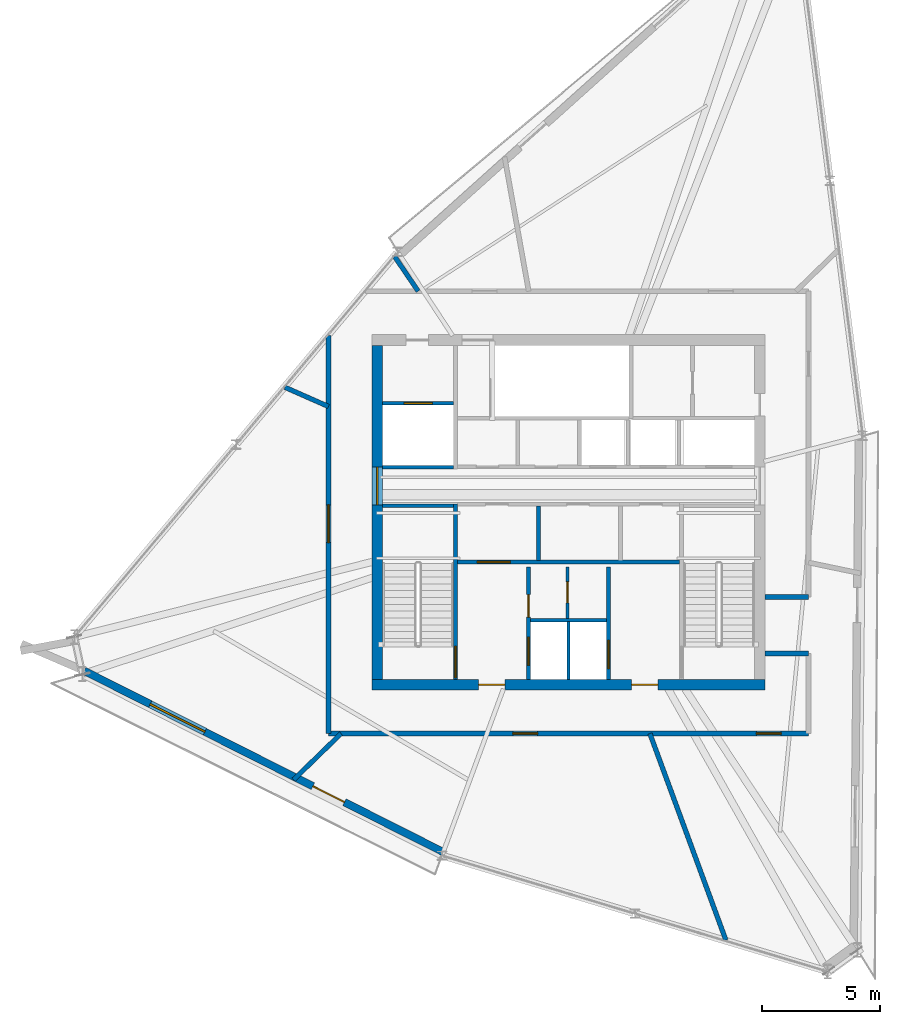
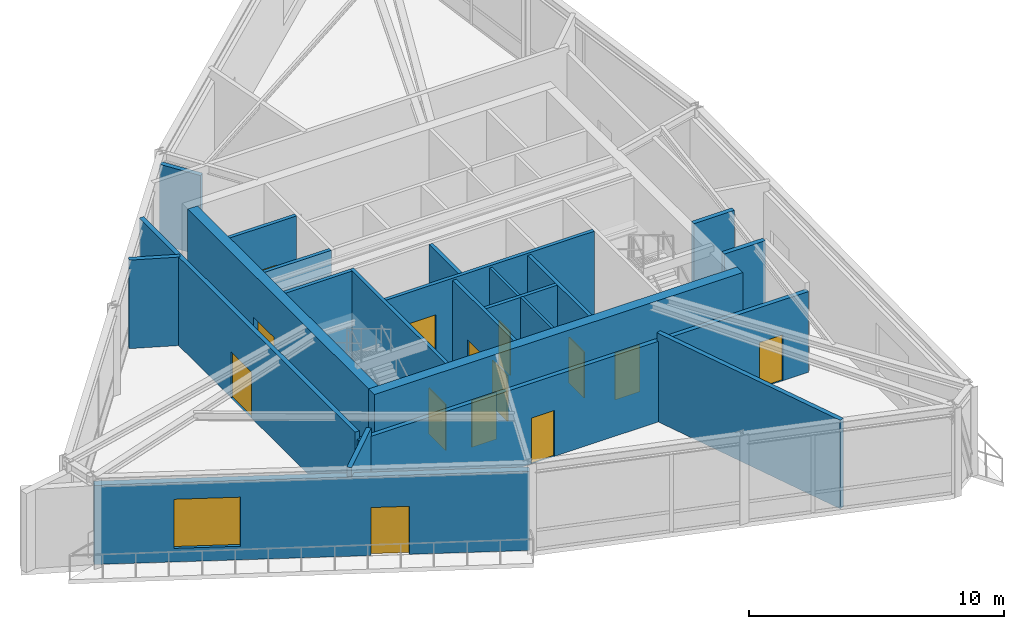
# One storey, part 18 of 23: 22 walls, 13 doors, 2 windows, 15 openings.
"""IFC4 building model written with IfcOpenShell, lengths in metres."""

from ifc_helpers import new_model, si_unit, direction, frame, frame_2d, origin, place, context, subcontext, project, spatial, rectangle, extrude, source, transform, mapped, material, layer, layer_set, type_object, type_shapes, element, fill, save


model = new_model("IFC4")

# Units and contexts
model_context = context("Model", 3, precision=1e-05, world=origin(), true_north=direction((0.0, 1.0)))
body_context = subcontext(model_context, "Body", "Model", "MODEL_VIEW")
ifc_project = project(units=[si_unit("LENGTHUNIT", "METRE"), si_unit("AREAUNIT", "SQUARE_METRE"), si_unit("VOLUMEUNIT", "CUBIC_METRE"), si_unit("PLANEANGLEUNIT", "RADIAN"), si_unit("MASSUNIT", "GRAM", prefix="KILO")], contexts=[model_context])

# Site, building, storey
site_placement = place(None, origin())
site = spatial("IfcSite", under=ifc_project, at=site_placement, CompositionType="ELEMENT")
building_placement = place(site_placement, origin())
building = spatial("IfcBuilding", under=site, at=building_placement, Name="Olszyna Solenne Hotel", CompositionType="ELEMENT")
storey_placement = place(building_placement, frame((0.0, 0.0, 290.5)))
storey = spatial("IfcBuildingStorey", under=building, at=storey_placement, Name="L77", CompositionType="ELEMENT", Elevation=290.5)

# Wall, openings, doors
ifc_material_1 = material(Name="Concrete C50/60", Category="concrete")
ifc_layer_1 = layer(ifc_material_1, 0.449951171875, Name="Concrete C50/60")
ifc_layer_set_1 = layer_set([ifc_layer_1], Name="Concrete C50/60")
wall_type_1 = type_object("IfcWallType", Name="WL-CR450", PredefinedType="SHEAR", material=ifc_layer_set_1)
wall_1_placement = place(storey_placement, frame((46.35009765625, 19.27490234375, 0.0), z_axis=(0.0, 0.0, 1.0), x_axis=(-1.0, 0.0, 0.0)))
wall_1 = element("IfcWall", 1, at=wall_1_placement, inside=storey, type_object=wall_type_1, Name="Core shear wall WL-CR450 CRW-L77-S", PredefinedType="SHEAR", context=body_context, shape_type="SweptSolid", body=[
    extrude(rectangle(XDim=16.7001953125, YDim=0.449951171875, at=frame_2d((8.35009765625, 0.0))), origin(), (0.0, 0.0, 1.0), 4.239990234375),
])
opening_1_placement = place(wall_1_placement, frame((4.550048828125, 0.0, 0.0)))
opening_1 = element("IfcOpeningElement", 2, at=opening_1_placement, cuts=wall_1, Name="Opening FL-L77-1", PredefinedType="OPENING", context=body_context, shape_type="SweptSolid", body=[
    extrude(rectangle(XDim=1.1201171875, YDim=2.25, at=frame_2d((0.56005859375, 1.125))), frame((0.0, 0.23486328125, 0.0), z_axis=(0.0, -1.0, 0.0), x_axis=(1.0, 0.0, 0.0)), (0.0, 0.0, 1.0), 0.469970703125),
])
opening_2_placement = place(wall_1_placement, frame((11.050048828125, 0.0, 0.0)))
opening_2 = element("IfcOpeningElement", 3, at=opening_2_placement, cuts=wall_1, Name="Opening FL-L77-2", PredefinedType="OPENING", context=body_context, shape_type="SweptSolid", body=[
    extrude(rectangle(XDim=1.1201171875, YDim=2.25, at=frame_2d((0.56005859375, 1.125))), frame((0.0, 0.23486328125, 0.0), z_axis=(0.0, -1.0, 0.0), x_axis=(1.0, 0.0, 0.0)), (0.0, 0.0, 1.0), 0.469970703125),
])
ifc_material_2 = material(Name="Steel S355J2", Category="steel")
door_type_1 = type_object("IfcDoorType", Name="DR-FL1", OperationType="NOTDEFINED", PredefinedType="DOOR", material=ifc_material_2)
shared_shape_1 = source(origin(), body_context, "Body", "SweptSolid", [
    extrude(rectangle(XDim=1.1201171875, YDim=2.25, at=frame_2d((0.56005859375, 1.125))), frame((0.0, 0.02490234375, 0.0), z_axis=(0.0, -1.0, 0.0), x_axis=(1.0, 0.0, 0.0)), (0.0, 0.0, 1.0), 0.050048828125),
])
type_shapes(door_type_1, [shared_shape_1])
door_1_placement = place(opening_1_placement, origin())
door_1 = element("IfcDoor", 4, at=door_1_placement, inside=storey, type_object=door_type_1, Name="Firefighting lift lobby smoke door FL-L77-1", OperationType="SINGLE_SWING_LEFT", OverallHeight=2.25, OverallWidth=1.1201171875, PredefinedType="DOOR", context=body_context, shape_type="MappedRepresentation", body=[
    mapped(shared_shape_1, transform((0.0, 0.0, 0.0), x_axis=(1.0, 0.0, 0.0), y_axis=(0.0, 1.0, 0.0), z_axis=(0.0, 0.0, 1.0), scale=1.0)),
])
fill(opening_1, door_1)
door_2_placement = place(opening_2_placement, origin())
door_2 = element("IfcDoor", 5, at=door_2_placement, inside=storey, type_object=door_type_1, Name="Firefighting lift lobby smoke door FL-L77-2", OperationType="SINGLE_SWING_RIGHT", OverallHeight=2.25, OverallWidth=1.1201171875, PredefinedType="DOOR", context=body_context, shape_type="MappedRepresentation", body=[
    mapped(shared_shape_1, transform((0.0, 0.0, 0.0), x_axis=(1.0, 0.0, 0.0), y_axis=(0.0, 1.0, 0.0), z_axis=(0.0, 0.0, 1.0), scale=1.0)),
])
fill(opening_2, door_2)

# Wall, opening, door
wall_2_placement = place(storey_placement, frame((29.875, 19.5, 0.0), z_axis=(0.0, 0.0, 1.0), x_axis=(0.0, 1.0, 0.0)))
wall_2 = element("IfcWall", 6, at=wall_2_placement, inside=storey, type_object=wall_type_1, Name="Core shear wall WL-CR450 CRW-L77-W", PredefinedType="SHEAR", context=body_context, shape_type="SweptSolid", body=[
    extrude(rectangle(XDim=14.199951171875, YDim=0.449951171875, at=frame_2d((7.10009765625, 0.0))), origin(), (0.0, 0.0, 1.0), 4.239990234375),
])
opening_3_placement = place(wall_2_placement, frame((7.419921875, 0.0, 0.0)))
opening_3 = element("IfcOpeningElement", 7, at=opening_3_placement, cuts=wall_2, Name="Opening LHD-L77-W", PredefinedType="OPENING", context=body_context, shape_type="SweptSolid", body=[
    extrude(rectangle(XDim=1.60009765625, YDim=2.199951171875, at=frame_2d((0.800048828125, 1.10009765625))), frame((0.0, 0.23486328125, 0.0), z_axis=(0.0, -1.0, 0.0), x_axis=(1.0, 0.0, 0.0)), (0.0, 0.0, 1.0), 0.469970703125),
])
ifc_material_3 = material(Name="Timber hardwood", Category="wood")
door_type_2 = type_object("IfcDoorType", Name="DR-CR1", OperationType="DOUBLE_DOOR_SINGLE_SWING", PredefinedType="DOOR", material=ifc_material_3)
shared_shape_2 = source(origin(), body_context, "Body", "SweptSolid", [
    extrude(rectangle(XDim=1.60009765625, YDim=2.199951171875, at=frame_2d((0.800048828125, 1.10009765625))), frame((0.0, 0.02490234375, 0.0), z_axis=(0.0, -1.0, 0.0), x_axis=(1.0, 0.0, 0.0)), (0.0, 0.0, 1.0), 0.050048828125),
])
type_shapes(door_type_2, [shared_shape_2])
door_3_placement = place(opening_3_placement, origin())
door_3 = element("IfcDoor", 8, at=door_3_placement, inside=storey, type_object=door_type_2, Name="Passenger lift lobby West fire door LHD-L77-W", OperationType="DOUBLE_DOOR_SINGLE_SWING", OverallHeight=2.199951171875, OverallWidth=1.60009765625, PredefinedType="DOOR", context=body_context, shape_type="MappedRepresentation", body=[
    mapped(shared_shape_2, transform((0.0, 0.0, 0.0), x_axis=(1.0, 0.0, 0.0), y_axis=(0.0, 1.0, 0.0), z_axis=(0.0, 0.0, 1.0), scale=1.0)),
])
fill(opening_3, door_3)

# Wall, openings, door, window
ifc_material_4 = material(Name="Precast concrete C45/55", Category="concrete")
ifc_layer_2 = layer(ifc_material_4, 0.320068359375, Name="Precast concrete C45/55")
ifc_layer_set_2 = layer_set([ifc_layer_2], Name="Precast concrete C45/55")
wall_type_2 = type_object("IfcWallType", Name="WL-EX320", PredefinedType="SOLIDWALL", material=ifc_layer_set_2)
wall_3_placement = place(storey_placement, frame((32.693603515625, 12.1552734375, 0.0), z_axis=(0.0, 0.0, 1.0), x_axis=(-0.89278116215, 0.450490617561, 0.0)))
wall_3 = element("IfcWall", 9, at=wall_3_placement, inside=storey, type_object=wall_type_2, Name="Exterior terracotta-precast frame wall WL-EX320 EW-L77-04", PredefinedType="SOLIDWALL", context=body_context, shape_type="SweptSolid", body=[
    extrude(rectangle(XDim=17.119384765625, YDim=0.320068359375, at=frame_2d((8.5595703125, 0.0))), origin(), (0.0, 0.0, 1.0), 3.781982421875),
])
opening_4_placement = place(wall_3_placement, frame((4.72802734375, 0.0, 0.0)))
opening_4 = element("IfcOpeningElement", 10, at=opening_4_placement, cuts=wall_3, Name="Opening LDG-L77-2", PredefinedType="OPENING", context=body_context, shape_type="SweptSolid", body=[
    extrude(rectangle(XDim=1.5, YDim=2.300048828125, at=frame_2d((0.75, 1.14990234375))), frame((0.0, 0.169921875, 0.0), z_axis=(0.0, -1.0, 0.0), x_axis=(1.0, 0.0, 0.0)), (0.0, 0.0, 1.0), 0.340087890625),
])
opening_5_placement = place(wall_3_placement, frame((11.367919921875, 0.0, 0.64990234375)))
opening_5 = element("IfcOpeningElement", 11, at=opening_5_placement, cuts=wall_3, Name="Opening WN-L77-504", PredefinedType="OPENING", context=body_context, shape_type="SweptSolid", body=[
    extrude(rectangle(XDim=2.60009765625, YDim=2.35009765625, at=frame_2d((1.300048828125, 1.175048828125))), frame((0.0, 0.169921875, 0.0), z_axis=(0.0, -1.0, 0.0), x_axis=(1.0, 0.0, 0.0)), (0.0, 0.0, 1.0), 0.340087890625),
])
ifc_material_5 = material(Name="Anodised bronze aluminium", Category="aluminium")
door_type_3 = type_object("IfcDoorType", Name="DR-LG2", OperationType="DOUBLE_DOOR_SINGLE_SWING", PredefinedType="DOOR", material=ifc_material_5)
shared_shape_3 = source(origin(), body_context, "Body", "SweptSolid", [
    extrude(rectangle(XDim=1.5, YDim=2.300048828125, at=frame_2d((0.75, 1.14990234375))), frame((0.0, 0.02490234375, 0.0), z_axis=(0.0, -1.0, 0.0), x_axis=(1.0, 0.0, 0.0)), (0.0, 0.0, 1.0), 0.050048828125),
])
type_shapes(door_type_3, [shared_shape_3])
door_4_placement = place(opening_4_placement, origin())
door_4 = element("IfcDoor", 12, at=door_4_placement, inside=storey, type_object=door_type_3, Name="Exterior loggia balcony door DR-LG2 LDG-L77-2", OperationType="DOUBLE_DOOR_SINGLE_SWING", OverallHeight=2.300048828125, OverallWidth=1.5, PredefinedType="DOOR", context=body_context, shape_type="MappedRepresentation", body=[
    mapped(shared_shape_3, transform((0.0, 0.0, 0.0), x_axis=(1.0, 0.0, 0.0), y_axis=(0.0, 1.0, 0.0), z_axis=(0.0, 0.0, 1.0), scale=1.0)),
])
fill(opening_4, door_4)
ifc_material_6 = material(Name="Low-E triple glazing", Category="glass")
window_type_1 = type_object("IfcWindowType", Name="WN-ST1", PartitioningType="SINGLE_PANEL", PredefinedType="WINDOW", material=ifc_material_6)
shared_shape_4 = source(origin(), body_context, "Body", "SweptSolid", [
    extrude(rectangle(XDim=2.60009765625, YDim=2.35009765625, at=frame_2d((1.300048828125, 1.175048828125))), frame((0.0, 0.030029296875, 0.0), z_axis=(0.0, -1.0, 0.0), x_axis=(1.0, 0.0, 0.0)), (0.0, 0.0, 1.0), 0.06005859375),
])
type_shapes(window_type_1, [shared_shape_4])
window_1_placement = place(opening_5_placement, origin())
window_1 = element("IfcWindow", 13, at=window_1_placement, inside=storey, type_object=window_type_1, Name="Loggia room window WN-ST1 WN-L77-504", OverallHeight=2.35009765625, OverallWidth=2.60009765625, PartitioningType="SINGLE_PANEL", PredefinedType="WINDOW", context=body_context, shape_type="MappedRepresentation", body=[
    mapped(shared_shape_4, transform((0.0, 0.0, 0.0), x_axis=(1.0, 0.0, 0.0), y_axis=(0.0, 1.0, 0.0), z_axis=(0.0, 0.0, 1.0), scale=1.0)),
])
fill(opening_5, window_1)

# Wall
ifc_material_7 = material(Name="Acoustic gypsum partition", Category="gypsum")
ifc_layer_3 = layer(ifc_material_7, 0.125, Name="Acoustic gypsum partition")
ifc_layer_set_3 = layer_set([ifc_layer_3], Name="Acoustic gypsum partition")
wall_type_3 = type_object("IfcWallType", Name="WL-PT125", PredefinedType="PARTITIONING", material=ifc_layer_set_3)
wall_4_placement = place(storey_placement, frame((38.0, 19.5, 0.0), z_axis=(0.0, 0.0, 1.0), x_axis=(0.0, 1.0, 0.0)))
element("IfcWall", 14, at=wall_4_placement, inside=storey, type_object=wall_type_3, Name="Core shaft compartment wall CW-L77-FFM", PredefinedType="PARTITIONING", context=body_context, shape_type="SweptSolid", body=[
    extrude(rectangle(XDim=2.4599609375, YDim=0.125, at=frame_2d((1.22998046875, 0.0))), origin(), (0.0, 0.0, 1.0), 4.239990234375),
])

# Wall, opening, door
wall_5_placement = place(storey_placement, frame((37.9599609375, 22.10009765625, 0.0), z_axis=(0.0, 0.0, 1.0), x_axis=(0.0, 1.0, 0.0)))
wall_5 = element("IfcWall", 15, at=wall_5_placement, inside=storey, type_object=wall_type_3, Name="Core shaft compartment wall CW-L77-SC1", PredefinedType="PARTITIONING", context=body_context, shape_type="SweptSolid", body=[
    extrude(rectangle(XDim=2.179931640625, YDim=0.125, at=frame_2d((1.08984375, 0.0))), origin(), (0.0, 0.0, 1.0), 4.239990234375),
])
opening_6_placement = place(wall_5_placement, frame((0.64990234375, 0.0, 0.0)))
opening_6 = element("IfcOpeningElement", 16, at=opening_6_placement, cuts=wall_5, Name="Opening SVD-L77-SC1", PredefinedType="OPENING", context=body_context, shape_type="SweptSolid", body=[
    extrude(rectangle(XDim=0.89990234375, YDim=2.10009765625, at=frame_2d((0.449951171875, 1.050048828125))), frame((0.0, 0.072509765625, 0.0), z_axis=(0.0, -1.0, 0.0), x_axis=(1.0, 0.0, 0.0)), (0.0, 0.0, 1.0), 0.14501953125),
])
door_type_4 = type_object("IfcDoorType", Name="DR-WC1", OperationType="NOTDEFINED", PredefinedType="DOOR", material=ifc_material_3)
shared_shape_5 = source(origin(), body_context, "Body", "SweptSolid", [
    extrude(rectangle(XDim=0.89990234375, YDim=2.10009765625, at=frame_2d((0.449951171875, 1.050048828125))), frame((0.0, 0.02490234375, 0.0), z_axis=(0.0, -1.0, 0.0), x_axis=(1.0, 0.0, 0.0)), (0.0, 0.0, 1.0), 0.050048828125),
])
type_shapes(door_type_4, [shared_shape_5])
door_5_placement = place(opening_6_placement, origin())
door_5 = element("IfcDoor", 17, at=door_5_placement, inside=storey, type_object=door_type_4, Name="Pantry locker door SVD-L77-SC1", OperationType="SINGLE_SWING_LEFT", OverallHeight=2.10009765625, OverallWidth=0.89990234375, PredefinedType="DOOR", context=body_context, shape_type="MappedRepresentation", body=[
    mapped(shared_shape_5, transform((0.0, 0.0, 0.0), x_axis=(1.0, 0.0, 0.0), y_axis=(0.0, 1.0, 0.0), z_axis=(0.0, 0.0, 1.0), scale=1.0)),
])
fill(opening_6, door_5)

ifc_layer_4 = layer(ifc_material_7, 0.159912109375, Name="Acoustic gypsum partition")
ifc_layer_set_4 = layer_set([ifc_layer_4], Name="Acoustic gypsum partition")
wall_type_4 = type_object("IfcWallType", Name="WL-PT160", PredefinedType="PARTITIONING", material=ifc_layer_set_4)
wall_6_placement = place(storey_placement, frame((33.199951171875, 19.5, 0.0), z_axis=(0.0, 0.0, 1.0), x_axis=(0.0, 1.0, 0.0)))
wall_6 = element("IfcWall", 18, at=wall_6_placement, inside=storey, type_object=wall_type_4, Name="Core shaft compartment wall CW-L77-ST1E", PredefinedType="PARTITIONING", context=body_context, shape_type="SweptSolid", body=[
    extrude(rectangle(XDim=7.4599609375, YDim=0.159912109375, at=frame_2d((3.72998046875, 0.0))), origin(), (0.0, 0.0, 1.0), 4.239990234375),
])
opening_7_placement = place(wall_6_placement, frame((0.080078125, 0.0, 0.0)))
opening_7 = element("IfcOpeningElement", 19, at=opening_7_placement, cuts=wall_6, Name="Opening STD-L77-01", PredefinedType="OPENING", context=body_context, shape_type="SweptSolid", body=[
    extrude(rectangle(XDim=1.320068359375, YDim=2.199951171875, at=frame_2d((0.66015625, 1.10009765625))), frame((0.0, 0.08984375, 0.0), z_axis=(0.0, -1.0, 0.0), x_axis=(1.0, 0.0, 0.0)), (0.0, 0.0, 1.0), 0.179931640625),
])
door_type_5 = type_object("IfcDoorType", Name="DR-ST1", OperationType="NOTDEFINED", PredefinedType="DOOR", material=ifc_material_2)
shared_shape_6 = source(origin(), body_context, "Body", "SweptSolid", [
    extrude(rectangle(XDim=1.320068359375, YDim=2.199951171875, at=frame_2d((0.66015625, 1.10009765625))), frame((0.0, 0.02490234375, 0.0), z_axis=(0.0, -1.0, 0.0), x_axis=(1.0, 0.0, 0.0)), (0.0, 0.0, 1.0), 0.050048828125),
])
type_shapes(door_type_5, [shared_shape_6])
door_6_placement = place(opening_7_placement, origin())
door_6 = element("IfcDoor", 20, at=door_6_placement, inside=storey, type_object=door_type_5, Name="Pressurised exit stair ST1 fire door STD-L77-01", OperationType="SINGLE_SWING_LEFT", OverallHeight=2.199951171875, OverallWidth=1.320068359375, PredefinedType="DOOR", context=body_context, shape_type="MappedRepresentation", body=[
    mapped(shared_shape_6, transform((0.0, 0.0, 0.0), x_axis=(1.0, 0.0, 0.0), y_axis=(0.0, 1.0, 0.0), z_axis=(0.0, 0.0, 1.0), scale=1.0)),
])
fill(opening_7, door_6)

# Wall
wall_7_placement = place(storey_placement, frame((30.10009765625, 26.8798828125, 0.0), z_axis=(0.0, 0.0, 1.0), x_axis=(1.0, 0.0, 0.0)))
element("IfcWall", 21, at=wall_7_placement, inside=storey, type_object=wall_type_4, Name="Core shaft compartment wall CW-L77-ST1N", PredefinedType="PARTITIONING", context=body_context, shape_type="SweptSolid", body=[
    extrude(rectangle(XDim=3.02001953125, YDim=0.159912109375, at=frame_2d((1.510009765625, 0.0))), origin(), (0.0, 0.0, 1.0), 4.239990234375),
])

# Wall, openings, doors
wall_8_placement = place(storey_placement, frame((36.300048828125, 19.5, 0.0), z_axis=(0.0, 0.0, 1.0), x_axis=(0.0, 1.0, 0.0)))
wall_8 = element("IfcWall", 22, at=wall_8_placement, inside=storey, type_object=wall_type_4, Name="Core shaft compartment wall CW-L77-FF1W", PredefinedType="PARTITIONING", context=body_context, shape_type="SweptSolid", body=[
    extrude(rectangle(XDim=4.780029296875, YDim=0.159912109375, at=frame_2d((2.39013671875, 0.0))), origin(), (0.0, 0.0, 1.0), 4.239990234375),
])
opening_8_placement = place(wall_8_placement, frame((0.60009765625, 0.0, 0.0)))
opening_8 = element("IfcOpeningElement", 23, at=opening_8_placement, cuts=wall_8, Name="Opening LD-L77-FF1", PredefinedType="OPENING", context=body_context, shape_type="SweptSolid", body=[
    extrude(rectangle(XDim=1.199951171875, YDim=2.199951171875, at=frame_2d((0.60009765625, 1.10009765625))), frame((0.0, 0.08984375, 0.0), z_axis=(0.0, -1.0, 0.0), x_axis=(1.0, 0.0, 0.0)), (0.0, 0.0, 1.0), 0.179931640625),
])
opening_9_placement = place(wall_8_placement, frame((2.64990234375, 0.0, 0.0)))
opening_9 = element("IfcOpeningElement", 24, at=opening_9_placement, cuts=wall_8, Name="Opening SVD-L77-SMK", PredefinedType="OPENING", context=body_context, shape_type="SweptSolid", body=[
    extrude(rectangle(XDim=0.949951171875, YDim=2.10009765625, at=frame_2d((0.47509765625, 1.050048828125))), frame((0.0, 0.08984375, 0.0), z_axis=(0.0, -1.0, 0.0), x_axis=(1.0, 0.0, 0.0)), (0.0, 0.0, 1.0), 0.179931640625),
])
door_type_6 = type_object("IfcDoorType", Name="DR-SV1", OperationType="NOTDEFINED", PredefinedType="DOOR", material=ifc_material_2)
shared_shape_7 = source(origin(), body_context, "Body", "SweptSolid", [
    extrude(rectangle(XDim=0.949951171875, YDim=2.10009765625, at=frame_2d((0.47509765625, 1.050048828125))), frame((0.0, 0.02490234375, 0.0), z_axis=(0.0, -1.0, 0.0), x_axis=(1.0, 0.0, 0.0)), (0.0, 0.0, 1.0), 0.050048828125),
])
type_shapes(door_type_6, [shared_shape_7])
door_7_placement = place(opening_9_placement, origin())
door_7 = element("IfcDoor", 25, at=door_7_placement, inside=storey, type_object=door_type_6, Name="Valet and core service room door SVD-L77-SMK", OperationType="SINGLE_SWING_LEFT", OverallHeight=2.10009765625, OverallWidth=0.949951171875, PredefinedType="DOOR", context=body_context, shape_type="MappedRepresentation", body=[
    mapped(shared_shape_7, transform((0.0, 0.0, 0.0), x_axis=(1.0, 0.0, 0.0), y_axis=(0.0, 1.0, 0.0), z_axis=(0.0, 0.0, 1.0), scale=1.0)),
])
fill(opening_9, door_7)
door_type_7 = type_object("IfcDoorType", Name="LD-FF1", OperationType="DOUBLE_DOOR_SLIDING", PredefinedType="DOOR", material=ifc_material_2)
shared_shape_8 = source(origin(), body_context, "Body", "SweptSolid", [
    extrude(rectangle(XDim=1.199951171875, YDim=2.199951171875, at=frame_2d((0.60009765625, 1.10009765625))), frame((0.0, 0.02490234375, 0.0), z_axis=(0.0, -1.0, 0.0), x_axis=(1.0, 0.0, 0.0)), (0.0, 0.0, 1.0), 0.050048828125),
])
type_shapes(door_type_7, [shared_shape_8])
door_8_placement = place(opening_8_placement, origin())
door_8 = element("IfcDoor", 26, at=door_8_placement, inside=storey, type_object=door_type_7, Name="Firefighters lift FF1 sliding landing door LD-L77-FF1", OperationType="DOUBLE_DOOR_SLIDING", OverallHeight=2.199951171875, OverallWidth=1.199951171875, PredefinedType="DOOR", context=body_context, shape_type="MappedRepresentation", body=[
    mapped(shared_shape_8, transform((0.0, 0.0, 0.0), x_axis=(1.0, 0.0, 0.0), y_axis=(0.0, 1.0, 0.0), z_axis=(0.0, 0.0, 1.0), scale=1.0)),
])
fill(opening_8, door_8)

# Wall, opening, door
wall_9_placement = place(storey_placement, frame((39.699951171875, 24.280029296875, 0.0), z_axis=(0.0, 0.0, 1.0), x_axis=(0.0, -1.0, 0.0)))
wall_9 = element("IfcWall", 27, at=wall_9_placement, inside=storey, type_object=wall_type_4, Name="Core shaft compartment wall CW-L77-FF2E", PredefinedType="PARTITIONING", context=body_context, shape_type="SweptSolid", body=[
    extrude(rectangle(XDim=4.780029296875, YDim=0.159912109375, at=frame_2d((2.39013671875, 0.0))), origin(), (0.0, 0.0, 1.0), 4.239990234375),
])
opening_10_placement = place(wall_9_placement, frame((3.1201171875, 0.0, 0.0)))
opening_10 = element("IfcOpeningElement", 28, at=opening_10_placement, cuts=wall_9, Name="Opening LD-L77-FF2", PredefinedType="OPENING", context=body_context, shape_type="SweptSolid", body=[
    extrude(rectangle(XDim=1.199951171875, YDim=2.199951171875, at=frame_2d((0.60009765625, 1.10009765625))), frame((0.0, 0.08984375, 0.0), z_axis=(0.0, -1.0, 0.0), x_axis=(1.0, 0.0, 0.0)), (0.0, 0.0, 1.0), 0.179931640625),
])
door_9_placement = place(opening_10_placement, origin())
door_9 = element("IfcDoor", 29, at=door_9_placement, inside=storey, type_object=door_type_7, Name="Firefighters lift FF2 sliding landing door LD-L77-FF2", OperationType="DOUBLE_DOOR_SLIDING", OverallHeight=2.199951171875, OverallWidth=1.199951171875, PredefinedType="DOOR", context=body_context, shape_type="MappedRepresentation", body=[
    mapped(shared_shape_8, transform((0.0, 0.0, 0.0), x_axis=(1.0, 0.0, 0.0), y_axis=(0.0, 1.0, 0.0), z_axis=(0.0, 0.0, 1.0), scale=1.0)),
])
fill(opening_10, door_9)

# Wall
wall_10_placement = place(storey_placement, frame((36.3798828125, 22.02001953125, 0.0), z_axis=(0.0, 0.0, 1.0), x_axis=(1.0, 0.0, 0.0)))
element("IfcWall", 30, at=wall_10_placement, inside=storey, type_object=wall_type_4, Name="Core shaft compartment wall CW-L77-FFN", PredefinedType="PARTITIONING", context=body_context, shape_type="SweptSolid", body=[
    extrude(rectangle(XDim=3.240234375, YDim=0.159912109375, at=frame_2d((1.6201171875, 0.0))), origin(), (0.0, 0.0, 1.0), 4.239990234375),
])

# Wall, opening, window
wall_11_placement = place(storey_placement, frame((33.280029296875, 24.489990234375, 0.0), z_axis=(0.0, 0.0, 1.0), x_axis=(1.0, 0.0, 0.0)))
wall_11 = element("IfcWall", 31, at=wall_11_placement, inside=storey, type_object=wall_type_4, Name="Core shaft compartment wall CW-L77-FFBN", PredefinedType="PARTITIONING", context=body_context, shape_type="SweptSolid", body=[
    extrude(rectangle(XDim=9.43994140625, YDim=0.159912109375, at=frame_2d((4.719970703125, 0.0))), origin(), (0.0, 0.0, 1.0), 4.239990234375),
])
opening_11_placement = place(wall_11_placement, frame((0.85009765625, 0.0, 0.949951171875)))
opening_11 = element("IfcOpeningElement", 32, at=opening_11_placement, cuts=wall_11, Name="Opening WNI-L77-01", PredefinedType="OPENING", context=body_context, shape_type="SweptSolid", body=[
    extrude(rectangle(XDim=1.39990234375, YDim=1.800048828125, at=frame_2d((0.699951171875, 0.89990234375))), frame((0.0, 0.08984375, 0.0), z_axis=(0.0, -1.0, 0.0), x_axis=(1.0, 0.0, 0.0)), (0.0, 0.0, 1.0), 0.179931640625),
])
window_type_2 = type_object("IfcWindowType", Name="WN-IN1", PartitioningType="SINGLE_PANEL", PredefinedType="WINDOW", material=ifc_material_6)
shared_shape_9 = source(origin(), body_context, "Body", "SweptSolid", [
    extrude(rectangle(XDim=1.39990234375, YDim=1.800048828125, at=frame_2d((0.699951171875, 0.89990234375))), frame((0.0, 0.030029296875, 0.0), z_axis=(0.0, -1.0, 0.0), x_axis=(1.0, 0.0, 0.0)), (0.0, 0.0, 1.0), 0.06005859375),
])
type_shapes(window_type_2, [shared_shape_9])
window_2_placement = place(opening_11_placement, origin())
window_2 = element("IfcWindow", 33, at=window_2_placement, inside=storey, type_object=window_type_2, Name="Borrowed-light acoustic screen window WNI-L77-01", OverallHeight=1.800048828125, OverallWidth=1.39990234375, PartitioningType="SINGLE_PANEL", PredefinedType="WINDOW", context=body_context, shape_type="MappedRepresentation", body=[
    mapped(shared_shape_9, transform((0.0, 0.0, 0.0), x_axis=(1.0, 0.0, 0.0), y_axis=(0.0, 1.0, 0.0), z_axis=(0.0, 0.0, 1.0), scale=1.0)),
])
fill(opening_11, window_2)

# Wall
wall_12_placement = place(storey_placement, frame((30.10009765625, 28.52001953125, 0.0), z_axis=(0.0, 0.0, 1.0), x_axis=(1.0, 0.0, 0.0)))
element("IfcWall", 34, at=wall_12_placement, inside=storey, type_object=wall_type_4, Name="Core shaft compartment wall CW-L77-SV1S", PredefinedType="PARTITIONING", context=body_context, shape_type="SweptSolid", body=[
    extrude(rectangle(XDim=3.02001953125, YDim=0.159912109375, at=frame_2d((1.510009765625, 0.0))), origin(), (0.0, 0.0, 1.0), 4.239990234375),
])

# Wall, opening, door
wall_13_placement = place(storey_placement, frame((30.10009765625, 31.239990234375, 0.0), z_axis=(0.0, 0.0, 1.0), x_axis=(1.0, 0.0, 0.0)))
wall_13 = element("IfcWall", 35, at=wall_13_placement, inside=storey, type_object=wall_type_4, Name="Core shaft compartment wall CW-L77-SV1N", PredefinedType="PARTITIONING", context=body_context, shape_type="SweptSolid", body=[
    extrude(rectangle(XDim=3.02001953125, YDim=0.159912109375, at=frame_2d((1.510009765625, 0.0))), origin(), (0.0, 0.0, 1.0), 4.239990234375),
])
opening_12_placement = place(wall_13_placement, frame((0.909912109375, 0.0, 0.0)))
opening_12 = element("IfcOpeningElement", 36, at=opening_12_placement, cuts=wall_13, Name="Opening LD-L77-SV1", PredefinedType="OPENING", context=body_context, shape_type="SweptSolid", body=[
    extrude(rectangle(XDim=1.199951171875, YDim=2.199951171875, at=frame_2d((0.60009765625, 1.10009765625))), frame((0.0, 0.08984375, 0.0), z_axis=(0.0, -1.0, 0.0), x_axis=(1.0, 0.0, 0.0)), (0.0, 0.0, 1.0), 0.179931640625),
])
door_10_placement = place(opening_12_placement, origin())
door_10 = element("IfcDoor", 37, at=door_10_placement, inside=storey, type_object=door_type_7, Name="Service lift SV1 sliding landing door LD-L77-SV1", OperationType="DOUBLE_DOOR_SLIDING", OverallHeight=2.199951171875, OverallWidth=1.199951171875, PredefinedType="DOOR", context=body_context, shape_type="MappedRepresentation", body=[
    mapped(shared_shape_8, transform((0.0, 0.0, 0.0), x_axis=(1.0, 0.0, 0.0), y_axis=(0.0, 1.0, 0.0), z_axis=(0.0, 0.0, 1.0), scale=1.0)),
])
fill(opening_12, door_10)

# Walls
wall_14_placement = place(storey_placement, frame((36.72998046875, 24.56005859375, 0.0), z_axis=(0.0, 0.0, 1.0), x_axis=(0.0, 1.0, 0.0)))
element("IfcWall", 38, at=wall_14_placement, inside=storey, type_object=wall_type_4, Name="Core shaft compartment wall CW-L77-LV7DIV1", PredefinedType="PARTITIONING", context=body_context, shape_type="SweptSolid", body=[
    extrude(rectangle(XDim=2.31005859375, YDim=0.159912109375, at=frame_2d((1.155029296875, 0.0))), origin(), (0.0, 0.0, 1.0), 4.239990234375),
])
ifc_layer_5 = layer(ifc_material_7, 0.199951171875, Name="Acoustic gypsum partition")
ifc_layer_set_5 = layer_set([ifc_layer_5], Name="Acoustic gypsum partition")
wall_type_5 = type_object("IfcWallType", Name="WL-PT200", PredefinedType="PARTITIONING", material=ifc_layer_set_5)
wall_15_placement = place(storey_placement, frame((27.800048828125, 31.0986328125, 0.0), z_axis=(0.0, 0.0, 1.0), x_axis=(-0.914957108881, 0.403551098261, 0.0)))
element("IfcWall", 39, at=wall_15_placement, inside=storey, type_object=wall_type_5, Name="Interior acoustic partition WL-PT200 PW-L77-4183", PredefinedType="PARTITIONING", context=body_context, shape_type="SweptSolid", body=[
    extrude(rectangle(XDim=2.023681640625, YDim=0.199951171875, at=frame_2d((1.01171875, 0.0))), origin(), (0.0, 0.0, 1.0), 4.239990234375),
])
wall_16_placement = place(storey_placement, frame((28.333740234375, 17.199951171875, 0.0), z_axis=(0.0, 0.0, 1.0), x_axis=(-0.716936105059, -0.697138882334, 0.0)))
element("IfcWall", 40, at=wall_16_placement, inside=storey, type_object=wall_type_5, Name="Interior acoustic partition WL-PT200 PW-L77-4184", PredefinedType="PARTITIONING", context=body_context, shape_type="SweptSolid", body=[
    extrude(rectangle(XDim=2.823974609375, YDim=0.199951171875, at=frame_2d((1.412109375, 0.0))), origin(), (0.0, 0.0, 1.0), 4.239990234375),
])
wall_17_placement = place(storey_placement, frame((41.45849609375, 17.199951171875, 0.0), z_axis=(0.0, 0.0, 1.0), x_axis=(0.345312374887, -0.938487806927, 0.0)))
element("IfcWall", 41, at=wall_17_placement, inside=storey, type_object=wall_type_5, Name="Interior acoustic partition WL-PT200 PW-L77-4185", PredefinedType="PARTITIONING", context=body_context, shape_type="SweptSolid", body=[
    extrude(rectangle(XDim=9.357421875, YDim=0.199951171875, at=frame_2d((4.6787109375, 0.0))), origin(), (0.0, 0.0, 1.0), 4.239990234375),
])
wall_18_placement = place(storey_placement, frame((31.61181640625, 36.0, 0.0), z_axis=(0.0, 0.0, 1.0), x_axis=(-0.562095840056, 0.827072104833, 0.0)))
element("IfcWall", 42, at=wall_18_placement, inside=storey, type_object=wall_type_5, Name="Interior acoustic partition WL-PT200 PW-L77-4189", PredefinedType="PARTITIONING", context=body_context, shape_type="SweptSolid", body=[
    extrude(rectangle(XDim=1.77734375, YDim=0.199951171875, at=frame_2d((0.888671875, 0.0))), origin(), (0.0, 0.0, 1.0), 3.824951171875),
])

# Wall, openings, doors
wall_19_placement = place(storey_placement, frame((27.800048828125, 17.199951171875, 0.0), z_axis=(0.0, 0.0, 1.0), x_axis=(1.0, 0.0, 0.0)))
wall_19 = element("IfcWall", 43, at=wall_19_placement, inside=storey, type_object=wall_type_5, Name="Interior acoustic partition WL-PT200 PW-L77-4190", PredefinedType="PARTITIONING", context=body_context, shape_type="SweptSolid", body=[
    extrude(rectangle(XDim=20.39990234375, YDim=0.199951171875, at=frame_2d((10.199951171875, 0.0))), origin(), (0.0, 0.0, 1.0), 3.864990234375),
])
opening_13_placement = place(wall_19_placement, frame((7.8349609375, 0.0, 0.0)))
opening_13 = element("IfcOpeningElement", 44, at=opening_13_placement, cuts=wall_19, Name="Opening DR-L77-1009", PredefinedType="OPENING", context=body_context, shape_type="SweptSolid", body=[
    extrude(rectangle(XDim=1.050048828125, YDim=2.199951171875, at=frame_2d((0.52490234375, 1.10009765625))), frame((0.0, 0.10986328125, 0.0), z_axis=(0.0, -1.0, 0.0), x_axis=(1.0, 0.0, 0.0)), (0.0, 0.0, 1.0), 0.219970703125),
])
opening_14_placement = place(wall_19_placement, frame((18.181884765625, 0.0, 0.0)))
opening_14 = element("IfcOpeningElement", 45, at=opening_14_placement, cuts=wall_19, Name="Opening DR-L77-1010", PredefinedType="OPENING", context=body_context, shape_type="SweptSolid", body=[
    extrude(rectangle(XDim=1.050048828125, YDim=2.199951171875, at=frame_2d((0.52490234375, 1.10009765625))), frame((0.0, 0.10986328125, 0.0), z_axis=(0.0, -1.0, 0.0), x_axis=(1.0, 0.0, 0.0)), (0.0, 0.0, 1.0), 0.219970703125),
])
door_type_8 = type_object("IfcDoorType", Name="DR-RM2", OperationType="NOTDEFINED", PredefinedType="DOOR", material=ifc_material_3)
shared_shape_10 = source(origin(), body_context, "Body", "SweptSolid", [
    extrude(rectangle(XDim=1.050048828125, YDim=2.199951171875, at=frame_2d((0.52490234375, 1.10009765625))), frame((0.0, 0.02490234375, 0.0), z_axis=(0.0, -1.0, 0.0), x_axis=(1.0, 0.0, 0.0)), (0.0, 0.0, 1.0), 0.050048828125),
])
type_shapes(door_type_8, [shared_shape_10])
door_11_placement = place(opening_13_placement, origin())
door_11 = element("IfcDoor", 46, at=door_11_placement, inside=storey, type_object=door_type_8, Name="Public Observation Deck North Entrance Door DR-L77-1009", OperationType="SINGLE_SWING_LEFT", OverallHeight=2.199951171875, OverallWidth=1.050048828125, PredefinedType="DOOR", context=body_context, shape_type="MappedRepresentation", body=[
    mapped(shared_shape_10, transform((0.0, 0.0, 0.0), x_axis=(1.0, 0.0, 0.0), y_axis=(0.0, 1.0, 0.0), z_axis=(0.0, 0.0, 1.0), scale=1.0)),
])
fill(opening_13, door_11)
door_12_placement = place(opening_14_placement, origin())
door_12 = element("IfcDoor", 47, at=door_12_placement, inside=storey, type_object=door_type_8, Name="Warsaw Panorama Exhibition Gallery Entrance Door DR-L77-1010", OperationType="SINGLE_SWING_RIGHT", OverallHeight=2.199951171875, OverallWidth=1.050048828125, PredefinedType="DOOR", context=body_context, shape_type="MappedRepresentation", body=[
    mapped(shared_shape_10, transform((0.0, 0.0, 0.0), x_axis=(1.0, 0.0, 0.0), y_axis=(0.0, 1.0, 0.0), z_axis=(0.0, 0.0, 1.0), scale=1.0)),
])
fill(opening_14, door_12)

# Wall, opening, door
wall_20_placement = place(storey_placement, frame((27.800048828125, 17.199951171875, 0.0), z_axis=(0.0, 0.0, 1.0), x_axis=(0.0, 1.0, 0.0)))
wall_20 = element("IfcWall", 48, at=wall_20_placement, inside=storey, type_object=wall_type_5, Name="Interior acoustic partition WL-PT200 PW-L77-4191", PredefinedType="PARTITIONING", context=body_context, shape_type="SweptSolid", body=[
    extrude(rectangle(XDim=16.92041015625, YDim=0.199951171875, at=frame_2d((8.460205078125, 0.0))), origin(), (0.0, 0.0, 1.0), 4.239990234375),
])
opening_15_placement = place(wall_20_placement, frame((8.114013671875, 0.0, 0.0)))
opening_15 = element("IfcOpeningElement", 49, at=opening_15_placement, cuts=wall_20, Name="Opening DR-L77-1011", PredefinedType="OPENING", context=body_context, shape_type="SweptSolid", body=[
    extrude(rectangle(XDim=1.60009765625, YDim=2.199951171875, at=frame_2d((0.800048828125, 1.10009765625))), frame((0.0, 0.10986328125, 0.0), z_axis=(0.0, -1.0, 0.0), x_axis=(1.0, 0.0, 0.0)), (0.0, 0.0, 1.0), 0.219970703125),
])
door_13_placement = place(opening_15_placement, origin())
door_13 = element("IfcDoor", 50, at=door_13_placement, inside=storey, type_object=door_type_2, Name="Public Observation Deck South Entrance Door DR-L77-1011", OperationType="DOUBLE_DOOR_SINGLE_SWING", OverallHeight=2.199951171875, OverallWidth=1.60009765625, PredefinedType="DOOR", context=body_context, shape_type="MappedRepresentation", body=[
    mapped(shared_shape_2, transform((0.0, 0.0, 0.0), x_axis=(1.0, 0.0, 0.0), y_axis=(0.0, 1.0, 0.0), z_axis=(0.0, 0.0, 1.0), scale=1.0)),
])
fill(opening_15, door_13)

# Walls
for number, where, z_axis, x_axis, name in (
    (51, (46.35009765625, 20.60009765625, 0.0), (0.0, 0.0, 1.0), (1.0, 0.0, 0.0), "Interior acoustic partition WL-PT200 PW-L77-4194"),
    (52, (46.35009765625, 23.0, 0.0), (0.0, 0.0, 1.0), (1.0, 0.0, 0.0), "Interior acoustic partition WL-PT200 PW-L77-4196"),
):
    element("IfcWall", number, at=place(storey_placement, frame(where, z_axis=z_axis, x_axis=x_axis)), inside=storey, type_object=wall_type_5, Name=name, PredefinedType="PARTITIONING", context=body_context, shape_type="SweptSolid", body=[
        extrude(rectangle(XDim=1.849853515625, YDim=0.199951171875, at=frame_2d((0.9248046875, 0.0))), origin(), (0.0, 0.0, 1.0), 4.239990234375),
    ])

save(model, "model.ifc")
